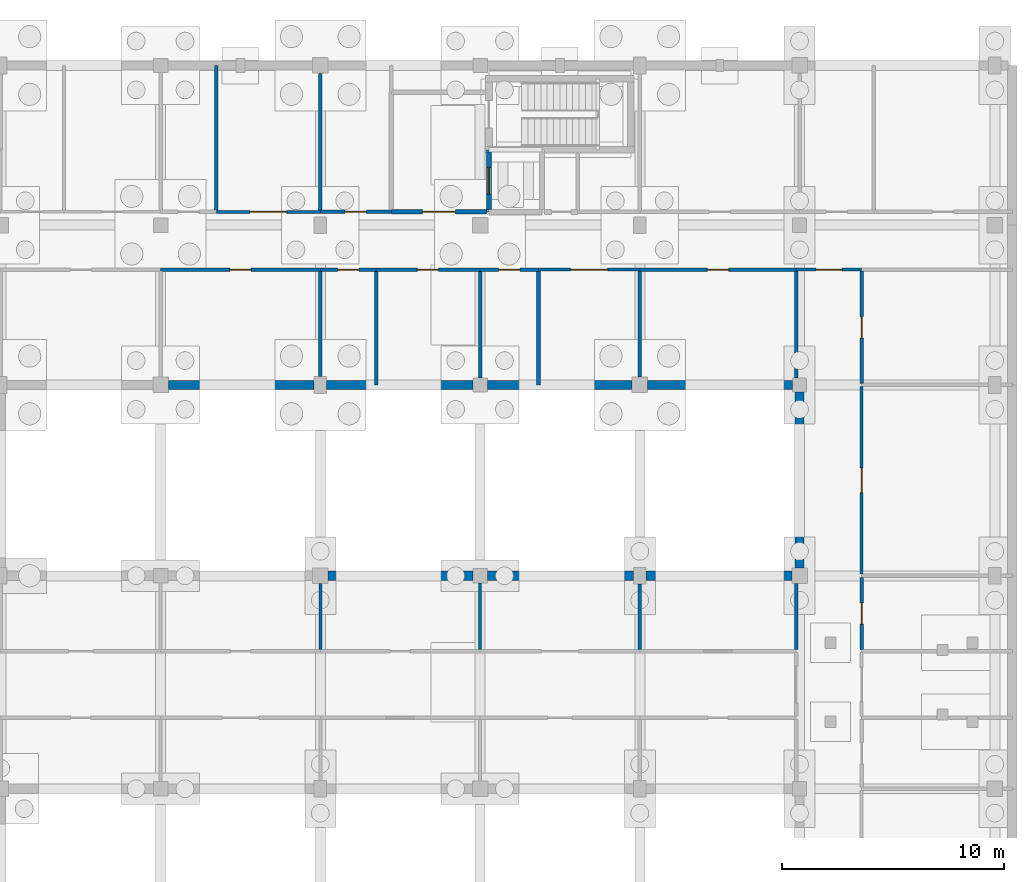
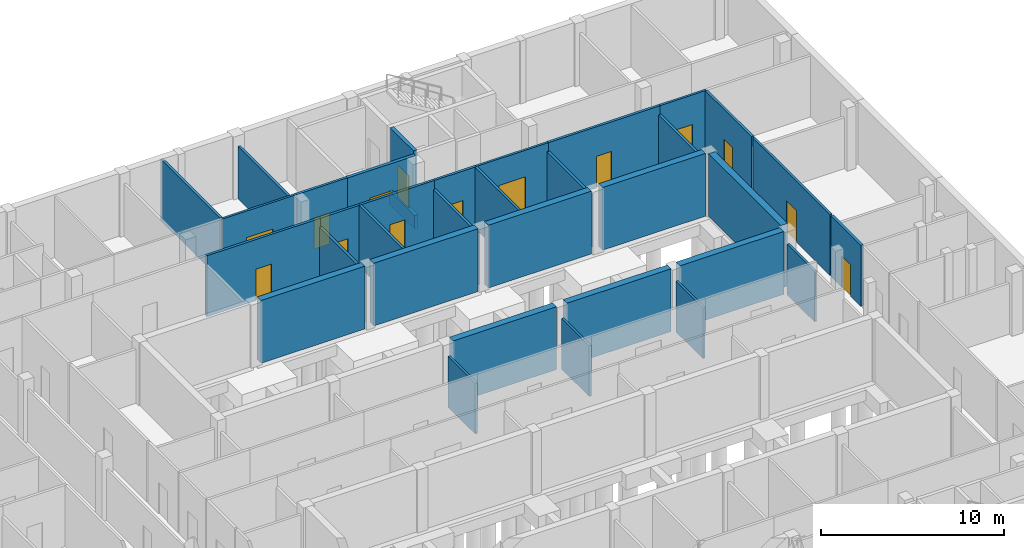
# One storey, part 13 of 17: 35 walls, 14 doors, 14 openings.
"""IFC4 building model written with IfcOpenShell, lengths in metres."""

from ifc_helpers import new_model, si_unit, direction, frame, frame_2d, origin, place, context, subcontext, project, spatial, rectangle, extrude, material, layer, layer_set, type_object, element, fill, save


model = new_model("IFC4")

# Units and contexts
model_context = context("Model", 3, precision=1e-05, world=origin(), true_north=direction((0.0, 1.0)))
body_context = subcontext(model_context, "Body", "Model", "MODEL_VIEW")
ifc_project = project(units=[si_unit("LENGTHUNIT", "METRE"), si_unit("AREAUNIT", "SQUARE_METRE"), si_unit("VOLUMEUNIT", "CUBIC_METRE"), si_unit("PLANEANGLEUNIT", "RADIAN"), si_unit("MASSUNIT", "GRAM", prefix="KILO")], contexts=[model_context])

# Site, building, storey
site_placement = place(None, origin())
site = spatial("IfcSite", under=ifc_project, at=site_placement, CompositionType="ELEMENT")
building_placement = place(site_placement, origin())
building = spatial("IfcBuilding", under=site, at=building_placement, Name="Hawrajan Terrace Health Centre", CompositionType="ELEMENT")
storey_placement = place(building_placement, frame((0.0, 0.0, -4.5)))
storey = spatial("IfcBuildingStorey", under=building, at=storey_placement, Name="B1", CompositionType="ELEMENT", Elevation=-4.5)

# Wall, opening, door
ifc_material_1 = material(Name="Gypsum board on acoustic stud framing")
ifc_layer_1 = layer(ifc_material_1, 0.139892578125)
ifc_layer_set_1 = layer_set([ifc_layer_1], Name="Gypsum board on acoustic stud framing")
wall_type_1 = type_object("IfcWallType", Name="ClinicalAcousticWall_140", PredefinedType="PARTITIONING", material=ifc_layer_set_1)
wall_1_placement = place(storey_placement, frame((35.9130859375, 53.199951171875, 0.0), z_axis=(0.0, 0.0, 1.0), x_axis=(1.0, 0.0, 0.0)))
wall_1 = element("IfcWall", 1, at=wall_1_placement, inside=storey, type_object=wall_type_1, Name="Interior wall IW-B1-0092", PredefinedType="PARTITIONING", context=body_context, shape_type="SweptSolid", body=[
    extrude(rectangle(XDim=4.68701171875, YDim=0.139892578125, at=frame_2d((2.343505859375, 0.0))), origin(), (0.0, 0.0, 1.0), 4.080078125),
])
opening_1_placement = place(wall_1_placement, frame((1.513427734375, 0.0, 0.0)))
opening_1 = element("IfcOpeningElement", 2, at=opening_1_placement, cuts=wall_1, Name="Opening D-B1-057", PredefinedType="OPENING", context=body_context, shape_type="SweptSolid", body=[
    extrude(rectangle(XDim=1.659912109375, YDim=2.300048828125, at=frame_2d((0.830078125, 1.14990234375))), frame((0.0, 0.079833984375, 0.0), z_axis=(0.0, -1.0, 0.0), x_axis=(1.0, 0.0, 0.0)), (0.0, 0.0, 1.0), 0.159912109375),
])
ifc_material_2 = material(Name="Hardwood acoustic clinical door leaf and frame", Category="wood")
door_type_1 = type_object("IfcDoorType", Name="RehabGymDoor_1660x2300", OperationType="DOUBLE_DOOR_SINGLE_SWING", PredefinedType="DOOR", material=ifc_material_2)
door_1_placement = place(opening_1_placement, origin())
door_1 = element("IfcDoor", 3, at=door_1_placement, inside=storey, type_object=door_type_1, Name="Interior door D-B1-057", OperationType="DOUBLE_DOOR_SINGLE_SWING", OverallHeight=2.300048828125, OverallWidth=1.659912109375, PredefinedType="DOOR", context=body_context, shape_type="SweptSolid", body=[
    extrude(rectangle(XDim=1.659912109375, YDim=2.300048828125, at=frame_2d((0.830078125, 1.14990234375))), frame((0.0, 0.02490234375, 0.0), z_axis=(0.0, -1.0, 0.0), x_axis=(1.0, 0.0, 0.0)), (0.0, 0.0, 1.0), 0.050048828125),
])
fill(opening_1, door_1)

# Walls
wall_2_placement = place(storey_placement, frame((40.60009765625, 33.469970703125, 0.0), z_axis=(0.0, 0.0, 1.0), x_axis=(0.0, 1.0, 0.0)))
element("IfcWall", 4, at=wall_2_placement, inside=storey, type_object=wall_type_1, Name="Interior wall IW-B1-0097", PredefinedType="PARTITIONING", context=body_context, shape_type="SweptSolid", body=[
    extrude(rectangle(XDim=2.97998046875, YDim=0.139892578125, at=frame_2d((1.489990234375, 0.0))), origin(), (0.0, 0.0, 1.0), 3.39990234375),
])
wall_3_placement = place(storey_placement, frame((47.800048828125, 33.469970703125, 0.0), z_axis=(0.0, 0.0, 1.0), x_axis=(0.0, 1.0, 0.0)))
element("IfcWall", 5, at=wall_3_placement, inside=storey, type_object=wall_type_1, Name="Interior wall IW-B1-0114", PredefinedType="PARTITIONING", context=body_context, shape_type="SweptSolid", body=[
    extrude(rectangle(XDim=3.005126953125, YDim=0.139892578125, at=frame_2d((1.50244140625, 0.0))), origin(), (0.0, 0.0, 1.0), 3.39990234375),
])

# Wall, opening, door
wall_4_placement = place(storey_placement, frame((50.43505859375, 50.60009765625, 0.0), z_axis=(0.0, 0.0, 1.0), x_axis=(1.0, 0.0, 0.0)))
wall_4 = element("IfcWall", 6, at=wall_4_placement, inside=storey, type_object=wall_type_1, Name="Interior wall IW-B1-0121", PredefinedType="PARTITIONING", context=body_context, shape_type="SweptSolid", body=[
    extrude(rectangle(XDim=4.56494140625, YDim=0.139892578125, at=frame_2d((2.282470703125, 0.0))), origin(), (0.0, 0.0, 1.0), 4.080078125),
])
opening_2_placement = place(wall_4_placement, frame((1.452392578125, 0.0, 0.0)))
opening_2 = element("IfcOpeningElement", 7, at=opening_2_placement, cuts=wall_4, Name="Opening D-B1-062", PredefinedType="OPENING", context=body_context, shape_type="SweptSolid", body=[
    extrude(rectangle(XDim=1.659912109375, YDim=2.300048828125, at=frame_2d((0.830078125, 1.14990234375))), frame((0.0, 0.079833984375, 0.0), z_axis=(0.0, -1.0, 0.0), x_axis=(1.0, 0.0, 0.0)), (0.0, 0.0, 1.0), 0.159912109375),
])
door_2_placement = place(opening_2_placement, origin())
door_2 = element("IfcDoor", 8, at=door_2_placement, inside=storey, type_object=door_type_1, Name="Interior door D-B1-062", OperationType="DOUBLE_DOOR_SINGLE_SWING", OverallHeight=2.300048828125, OverallWidth=1.659912109375, PredefinedType="DOOR", context=body_context, shape_type="SweptSolid", body=[
    extrude(rectangle(XDim=1.659912109375, YDim=2.300048828125, at=frame_2d((0.830078125, 1.14990234375))), frame((0.0, 0.02490234375, 0.0), z_axis=(0.0, -1.0, 0.0), x_axis=(1.0, 0.0, 0.0)), (0.0, 0.0, 1.0), 0.050048828125),
])
fill(opening_2, door_2)

# Walls
wall_5_placement = place(storey_placement, frame((55.0, 33.469970703125, 0.0), z_axis=(0.0, 0.0, 1.0), x_axis=(0.0, 1.0, 0.0)))
element("IfcWall", 9, at=wall_5_placement, inside=storey, type_object=wall_type_1, Name="Interior wall IW-B1-0129", PredefinedType="PARTITIONING", context=body_context, shape_type="SweptSolid", body=[
    extrude(rectangle(XDim=2.955078125, YDim=0.139892578125, at=frame_2d((1.4775390625, 0.0))), origin(), (0.0, 0.0, 1.0), 3.39990234375),
])
wall_6_placement = place(storey_placement, frame((62.050048828125, 33.469970703125, 0.0), z_axis=(0.0, 0.0, 1.0), x_axis=(0.0, 1.0, 0.0)))
element("IfcWall", 10, at=wall_6_placement, inside=storey, type_object=wall_type_1, Name="Interior wall IW-B1-0139", PredefinedType="PARTITIONING", context=body_context, shape_type="SweptSolid", body=[
    extrude(rectangle(XDim=2.97998046875, YDim=0.139892578125, at=frame_2d((1.489990234375, 0.0))), origin(), (0.0, 0.0, 1.0), 3.39990234375),
])

# Wall, opening, door
wall_7_placement = place(storey_placement, frame((62.050048828125, 50.60009765625, 0.0), z_axis=(0.0, 0.0, 1.0), x_axis=(1.0, 0.0, 0.0)))
wall_7 = element("IfcWall", 11, at=wall_7_placement, inside=storey, type_object=wall_type_1, Name="Interior wall IW-B1-0141", PredefinedType="PARTITIONING", context=body_context, shape_type="SweptSolid", body=[
    extrude(rectangle(XDim=2.949951171875, YDim=0.139892578125, at=frame_2d((1.47509765625, 0.0))), origin(), (0.0, 0.0, 1.0), 4.080078125),
])
opening_3_placement = place(wall_7_placement, frame((0.89501953125, 0.0, 0.0)))
opening_3 = element("IfcOpeningElement", 12, at=opening_3_placement, cuts=wall_7, Name="Opening D-B1-013", PredefinedType="OPENING", context=body_context, shape_type="SweptSolid", body=[
    extrude(rectangle(XDim=1.159912109375, YDim=2.10009765625, at=frame_2d((0.580078125, 1.050048828125))), frame((0.0, 0.079833984375, 0.0), z_axis=(0.0, -1.0, 0.0), x_axis=(1.0, 0.0, 0.0)), (0.0, 0.0, 1.0), 0.159912109375),
])
door_type_2 = type_object("IfcDoorType", Name="ConsultDoor_1160x2100", OperationType="NOTDEFINED", PredefinedType="DOOR", material=ifc_material_2)
door_3_placement = place(opening_3_placement, origin())
door_3 = element("IfcDoor", 13, at=door_3_placement, inside=storey, type_object=door_type_2, Name="Interior door D-B1-013", OperationType="SINGLE_SWING_LEFT", OverallHeight=2.10009765625, OverallWidth=1.159912109375, PredefinedType="DOOR", context=body_context, shape_type="SweptSolid", body=[
    extrude(rectangle(XDim=1.159912109375, YDim=2.10009765625, at=frame_2d((0.580078125, 1.050048828125))), frame((0.0, 0.02490234375, 0.0), z_axis=(0.0, -1.0, 0.0), x_axis=(1.0, 0.0, 0.0)), (0.0, 0.0, 1.0), 0.050048828125),
])
fill(opening_3, door_3)

wall_8_placement = place(storey_placement, frame((65.0, 36.8701171875, 0.0), z_axis=(0.0, 0.0, 1.0), x_axis=(0.0, 1.0, 0.0)))
wall_8 = element("IfcWall", 14, at=wall_8_placement, inside=storey, type_object=wall_type_1, Name="Interior wall IW-B1-0160", PredefinedType="PARTITIONING", context=body_context, shape_type="SweptSolid", body=[
    extrude(rectangle(XDim=8.4599609375, YDim=0.139892578125, at=frame_2d((4.22998046875, 0.0))), origin(), (0.0, 0.0, 1.0), 4.080078125),
])
opening_4_placement = place(wall_8_placement, frame((3.679931640625, 0.0, 0.0)))
opening_4 = element("IfcOpeningElement", 15, at=opening_4_placement, cuts=wall_8, Name="Opening D-B1-076", PredefinedType="OPENING", context=body_context, shape_type="SweptSolid", body=[
    extrude(rectangle(XDim=1.10009765625, YDim=2.10009765625, at=frame_2d((0.550048828125, 1.050048828125))), frame((0.0, 0.079833984375, 0.0), z_axis=(0.0, -1.0, 0.0), x_axis=(1.0, 0.0, 0.0)), (0.0, 0.0, 1.0), 0.159912109375),
])
door_type_3 = type_object("IfcDoorType", Name="ConsultDoor_1100x2100", OperationType="NOTDEFINED", PredefinedType="DOOR", material=ifc_material_2)
door_4_placement = place(opening_4_placement, origin())
door_4 = element("IfcDoor", 16, at=door_4_placement, inside=storey, type_object=door_type_3, Name="Interior door D-B1-076", OperationType="SINGLE_SWING_RIGHT", OverallHeight=2.10009765625, OverallWidth=1.10009765625, PredefinedType="DOOR", context=body_context, shape_type="SweptSolid", body=[
    extrude(rectangle(XDim=1.10009765625, YDim=2.10009765625, at=frame_2d((0.550048828125, 1.050048828125))), frame((0.0, 0.02490234375, 0.0), z_axis=(0.0, -1.0, 0.0), x_axis=(1.0, 0.0, 0.0)), (0.0, 0.0, 1.0), 0.050048828125),
])
fill(opening_4, door_4)

ifc_layer_2 = layer(ifc_material_1, 0.159912109375)
ifc_layer_set_2 = layer_set([ifc_layer_2], Name="Gypsum board on acoustic stud framing")
wall_type_2 = type_object("IfcWallType", Name="CorridorFireWall_160", PredefinedType="PARTITIONING", material=ifc_layer_set_2)
wall_9_placement = place(storey_placement, frame((33.39990234375, 50.60009765625, 0.0), z_axis=(0.0, 0.0, 1.0), x_axis=(1.0, 0.0, 0.0)))
wall_9 = element("IfcWall", 17, at=wall_9_placement, inside=storey, type_object=wall_type_2, Name="Interior wall IW-B1-0088", PredefinedType="PARTITIONING", context=body_context, shape_type="SweptSolid", body=[
    extrude(rectangle(XDim=7.2001953125, YDim=0.159912109375, at=frame_2d((3.60009765625, 0.0))), origin(), (0.0, 0.0, 1.0), 4.080078125),
])
opening_5_placement = place(wall_9_placement, frame((3.1201171875, 0.0, 0.0)))
opening_5 = element("IfcOpeningElement", 18, at=opening_5_placement, cuts=wall_9, Name="Opening D-B1-055", PredefinedType="OPENING", context=body_context, shape_type="SweptSolid", body=[
    extrude(rectangle(XDim=0.9599609375, YDim=2.10009765625, at=frame_2d((0.47998046875, 1.050048828125))), frame((0.0, 0.08984375, 0.0), z_axis=(0.0, -1.0, 0.0), x_axis=(1.0, 0.0, 0.0)), (0.0, 0.0, 1.0), 0.179931640625),
])
ifc_material_3 = material(Name="Timber-veneered acoustic fire-resisting door assembly", Category="wood")
door_type_4 = type_object("IfcDoorType", Name="ClinicalFireDoor_960x2100", OperationType="NOTDEFINED", PredefinedType="DOOR", material=ifc_material_3)
door_5_placement = place(opening_5_placement, origin())
door_5 = element("IfcDoor", 19, at=door_5_placement, inside=storey, type_object=door_type_4, Name="Interior door D-B1-055", OperationType="SINGLE_SWING_LEFT", OverallHeight=2.10009765625, OverallWidth=0.9599609375, PredefinedType="DOOR", context=body_context, shape_type="SweptSolid", body=[
    extrude(rectangle(XDim=0.9599609375, YDim=2.10009765625, at=frame_2d((0.47998046875, 1.050048828125))), frame((0.0, 0.02490234375, 0.0), z_axis=(0.0, -1.0, 0.0), x_axis=(1.0, 0.0, 0.0)), (0.0, 0.0, 1.0), 0.050048828125),
])
fill(opening_5, door_5)

# Walls
wall_10_placement = place(storey_placement, frame((35.9130859375, 53.27001953125, 0.0), z_axis=(0.0, 0.0, 1.0), x_axis=(0.0, 1.0, 0.0)))
element("IfcWall", 20, at=wall_10_placement, inside=storey, type_object=wall_type_2, Name="Interior wall IW-B1-0091", PredefinedType="PARTITIONING", context=body_context, shape_type="SweptSolid", body=[
    extrude(rectangle(XDim=6.530029296875, YDim=0.159912109375, at=frame_2d((3.26513671875, 0.0))), origin(), (0.0, 0.0, 1.0), 4.080078125),
])
wall_11_placement = place(storey_placement, frame((40.60009765625, 45.77490234375, 0.0), z_axis=(0.0, 0.0, 1.0), x_axis=(0.0, 1.0, 0.0)))
element("IfcWall", 21, at=wall_11_placement, inside=storey, type_object=wall_type_2, Name="Interior wall IW-B1-0099", PredefinedType="PARTITIONING", context=body_context, shape_type="SweptSolid", body=[
    extrude(rectangle(XDim=4.755126953125, YDim=0.159912109375, at=frame_2d((2.37744140625, 0.0))), origin(), (0.0, 0.0, 1.0), 3.5),
])

# Wall, opening, door
wall_12_placement = place(storey_placement, frame((40.60009765625, 50.60009765625, 0.0), z_axis=(0.0, 0.0, 1.0), x_axis=(1.0, 0.0, 0.0)))
wall_12 = element("IfcWall", 22, at=wall_12_placement, inside=storey, type_object=wall_type_2, Name="Interior wall IW-B1-0100", PredefinedType="PARTITIONING", context=body_context, shape_type="SweptSolid", body=[
    extrude(rectangle(XDim=2.512939453125, YDim=0.159912109375, at=frame_2d((1.25634765625, 0.0))), origin(), (0.0, 0.0, 1.0), 4.080078125),
])
opening_6_placement = place(wall_12_placement, frame((0.776611328125, 0.0, 0.0)))
opening_6 = element("IfcOpeningElement", 23, at=opening_6_placement, cuts=wall_12, Name="Opening D-B1-058", PredefinedType="OPENING", context=body_context, shape_type="SweptSolid", body=[
    extrude(rectangle(XDim=0.9599609375, YDim=2.10009765625, at=frame_2d((0.47998046875, 1.050048828125))), frame((0.0, 0.08984375, 0.0), z_axis=(0.0, -1.0, 0.0), x_axis=(1.0, 0.0, 0.0)), (0.0, 0.0, 1.0), 0.179931640625),
])
door_6_placement = place(opening_6_placement, origin())
door_6 = element("IfcDoor", 24, at=door_6_placement, inside=storey, type_object=door_type_4, Name="Interior door D-B1-058", OperationType="SINGLE_SWING_RIGHT", OverallHeight=2.10009765625, OverallWidth=0.9599609375, PredefinedType="DOOR", context=body_context, shape_type="SweptSolid", body=[
    extrude(rectangle(XDim=0.9599609375, YDim=2.10009765625, at=frame_2d((0.47998046875, 1.050048828125))), frame((0.0, 0.02490234375, 0.0), z_axis=(0.0, -1.0, 0.0), x_axis=(1.0, 0.0, 0.0)), (0.0, 0.0, 1.0), 0.050048828125),
])
fill(opening_6, door_6)

# Wall
wall_13_placement = place(storey_placement, frame((40.60009765625, 53.27001953125, 0.0), z_axis=(0.0, 0.0, 1.0), x_axis=(0.0, 1.0, 0.0)))
element("IfcWall", 25, at=wall_13_placement, inside=storey, type_object=wall_type_2, Name="Interior wall IW-B1-0101", PredefinedType="PARTITIONING", context=body_context, shape_type="SweptSolid", body=[
    extrude(rectangle(XDim=6.179931640625, YDim=0.159912109375, at=frame_2d((3.08984375, 0.0))), origin(), (0.0, 0.0, 1.0), 3.5),
])

# Wall, opening, door
wall_14_placement = place(storey_placement, frame((40.60009765625, 53.199951171875, 0.0), z_axis=(0.0, 0.0, 1.0), x_axis=(1.0, 0.0, 0.0)))
wall_14 = element("IfcWall", 26, at=wall_14_placement, inside=storey, type_object=wall_type_2, Name="Interior wall IW-B1-0102", PredefinedType="PARTITIONING", context=body_context, shape_type="SweptSolid", body=[
    extrude(rectangle(XDim=3.199951171875, YDim=0.159912109375, at=frame_2d((1.60009765625, 0.0))), origin(), (0.0, 0.0, 1.0), 4.080078125),
])
opening_7_placement = place(wall_14_placement, frame((1.1201171875, 0.0, 0.0)))
opening_7 = element("IfcOpeningElement", 27, at=opening_7_placement, cuts=wall_14, Name="Opening D-B1-060", PredefinedType="OPENING", context=body_context, shape_type="SweptSolid", body=[
    extrude(rectangle(XDim=0.9599609375, YDim=2.10009765625, at=frame_2d((0.47998046875, 1.050048828125))), frame((0.0, 0.08984375, 0.0), z_axis=(0.0, -1.0, 0.0), x_axis=(1.0, 0.0, 0.0)), (0.0, 0.0, 1.0), 0.179931640625),
])
door_7_placement = place(opening_7_placement, origin())
door_7 = element("IfcDoor", 28, at=door_7_placement, inside=storey, type_object=door_type_4, Name="Interior door D-B1-060", OperationType="SINGLE_SWING_RIGHT", OverallHeight=2.10009765625, OverallWidth=0.9599609375, PredefinedType="DOOR", context=body_context, shape_type="SweptSolid", body=[
    extrude(rectangle(XDim=0.9599609375, YDim=2.10009765625, at=frame_2d((0.47998046875, 1.050048828125))), frame((0.0, 0.02490234375, 0.0), z_axis=(0.0, -1.0, 0.0), x_axis=(1.0, 0.0, 0.0)), (0.0, 0.0, 1.0), 0.050048828125),
])
fill(opening_7, door_7)

# Wall
wall_15_placement = place(storey_placement, frame((43.113037109375, 45.39990234375, 0.0), z_axis=(0.0, 0.0, 1.0), x_axis=(0.0, 1.0, 0.0)))
element("IfcWall", 29, at=wall_15_placement, inside=storey, type_object=wall_type_2, Name="Interior wall IW-B1-0105", PredefinedType="PARTITIONING", context=body_context, shape_type="SweptSolid", body=[
    extrude(rectangle(XDim=5.130126953125, YDim=0.159912109375, at=frame_2d((2.56494140625, 0.0))), origin(), (0.0, 0.0, 1.0), 4.080078125),
])

# Wall, opening, door
wall_16_placement = place(storey_placement, frame((43.113037109375, 50.60009765625, 0.0), z_axis=(0.0, 0.0, 1.0), x_axis=(1.0, 0.0, 0.0)))
wall_16 = element("IfcWall", 30, at=wall_16_placement, inside=storey, type_object=wall_type_2, Name="Interior wall IW-B1-0106", PredefinedType="PARTITIONING", context=body_context, shape_type="SweptSolid", body=[
    extrude(rectangle(XDim=4.68701171875, YDim=0.159912109375, at=frame_2d((2.343505859375, 0.0))), origin(), (0.0, 0.0, 1.0), 4.080078125),
])
opening_8_placement = place(wall_16_placement, frame((1.863525390625, 0.0, 0.0)))
opening_8 = element("IfcOpeningElement", 31, at=opening_8_placement, cuts=wall_16, Name="Opening D-B1-059", PredefinedType="OPENING", context=body_context, shape_type="SweptSolid", body=[
    extrude(rectangle(XDim=0.9599609375, YDim=2.10009765625, at=frame_2d((0.47998046875, 1.050048828125))), frame((0.0, 0.08984375, 0.0), z_axis=(0.0, -1.0, 0.0), x_axis=(1.0, 0.0, 0.0)), (0.0, 0.0, 1.0), 0.179931640625),
])
door_8_placement = place(opening_8_placement, origin())
door_8 = element("IfcDoor", 32, at=door_8_placement, inside=storey, type_object=door_type_4, Name="Interior door D-B1-059", OperationType="SINGLE_SWING_LEFT", OverallHeight=2.10009765625, OverallWidth=0.9599609375, PredefinedType="DOOR", context=body_context, shape_type="SweptSolid", body=[
    extrude(rectangle(XDim=0.9599609375, YDim=2.10009765625, at=frame_2d((0.47998046875, 1.050048828125))), frame((0.0, 0.02490234375, 0.0), z_axis=(0.0, -1.0, 0.0), x_axis=(1.0, 0.0, 0.0)), (0.0, 0.0, 1.0), 0.050048828125),
])
fill(opening_8, door_8)

# Wall
wall_17_placement = place(storey_placement, frame((47.800048828125, 45.72509765625, 0.0), z_axis=(0.0, 0.0, 1.0), x_axis=(0.0, 1.0, 0.0)))
element("IfcWall", 33, at=wall_17_placement, inside=storey, type_object=wall_type_2, Name="Interior wall IW-B1-0116", PredefinedType="PARTITIONING", context=body_context, shape_type="SweptSolid", body=[
    extrude(rectangle(XDim=4.804931640625, YDim=0.159912109375, at=frame_2d((2.40234375, 0.0))), origin(), (0.0, 0.0, 1.0), 3.5),
])

# Wall, opening, door
wall_18_placement = place(storey_placement, frame((47.800048828125, 50.60009765625, 0.0), z_axis=(0.0, 0.0, 1.0), x_axis=(1.0, 0.0, 0.0)))
wall_18 = element("IfcWall", 34, at=wall_18_placement, inside=storey, type_object=wall_type_2, Name="Interior wall IW-B1-0117", PredefinedType="PARTITIONING", context=body_context, shape_type="SweptSolid", body=[
    extrude(rectangle(XDim=2.635009765625, YDim=0.159912109375, at=frame_2d((1.3173828125, 0.0))), origin(), (0.0, 0.0, 1.0), 4.080078125),
])
opening_9_placement = place(wall_18_placement, frame((0.83740234375, 0.0, 0.0)))
opening_9 = element("IfcOpeningElement", 35, at=opening_9_placement, cuts=wall_18, Name="Opening D-B1-061", PredefinedType="OPENING", context=body_context, shape_type="SweptSolid", body=[
    extrude(rectangle(XDim=0.9599609375, YDim=2.10009765625, at=frame_2d((0.47998046875, 1.050048828125))), frame((0.0, 0.08984375, 0.0), z_axis=(0.0, -1.0, 0.0), x_axis=(1.0, 0.0, 0.0)), (0.0, 0.0, 1.0), 0.179931640625),
])
door_9_placement = place(opening_9_placement, origin())
door_9 = element("IfcDoor", 36, at=door_9_placement, inside=storey, type_object=door_type_4, Name="Interior door D-B1-061", OperationType="SINGLE_SWING_LEFT", OverallHeight=2.10009765625, OverallWidth=0.9599609375, PredefinedType="DOOR", context=body_context, shape_type="SweptSolid", body=[
    extrude(rectangle(XDim=0.9599609375, YDim=2.10009765625, at=frame_2d((0.47998046875, 1.050048828125))), frame((0.0, 0.02490234375, 0.0), z_axis=(0.0, -1.0, 0.0), x_axis=(1.0, 0.0, 0.0)), (0.0, 0.0, 1.0), 0.050048828125),
])
fill(opening_9, door_9)

# Walls
wall_19_placement = place(storey_placement, frame((50.43505859375, 45.39990234375, 0.0), z_axis=(0.0, 0.0, 1.0), x_axis=(0.0, 1.0, 0.0)))
element("IfcWall", 37, at=wall_19_placement, inside=storey, type_object=wall_type_2, Name="Interior wall IW-B1-0120", PredefinedType="PARTITIONING", context=body_context, shape_type="SweptSolid", body=[
    extrude(rectangle(XDim=5.130126953125, YDim=0.159912109375, at=frame_2d((2.56494140625, 0.0))), origin(), (0.0, 0.0, 1.0), 4.080078125),
])
wall_20_placement = place(storey_placement, frame((55.0, 45.75, 0.0), z_axis=(0.0, 0.0, 1.0), x_axis=(0.0, 1.0, 0.0)))
element("IfcWall", 38, at=wall_20_placement, inside=storey, type_object=wall_type_2, Name="Interior wall IW-B1-0131", PredefinedType="PARTITIONING", context=body_context, shape_type="SweptSolid", body=[
    extrude(rectangle(XDim=4.780029296875, YDim=0.159912109375, at=frame_2d((2.39013671875, 0.0))), origin(), (0.0, 0.0, 1.0), 3.5),
])

# Wall, opening, door
wall_21_placement = place(storey_placement, frame((55.0, 50.60009765625, 0.0), z_axis=(0.0, 0.0, 1.0), x_axis=(1.0, 0.0, 0.0)))
wall_21 = element("IfcWall", 39, at=wall_21_placement, inside=storey, type_object=wall_type_2, Name="Interior wall IW-B1-0132", PredefinedType="PARTITIONING", context=body_context, shape_type="SweptSolid", body=[
    extrude(rectangle(XDim=7.050048828125, YDim=0.159912109375, at=frame_2d((3.52490234375, 0.0))), origin(), (0.0, 0.0, 1.0), 4.080078125),
])
opening_10_placement = place(wall_21_placement, frame((3.044921875, 0.0, 0.0)))
opening_10 = element("IfcOpeningElement", 40, at=opening_10_placement, cuts=wall_21, Name="Opening D-B1-063", PredefinedType="OPENING", context=body_context, shape_type="SweptSolid", body=[
    extrude(rectangle(XDim=0.9599609375, YDim=2.10009765625, at=frame_2d((0.47998046875, 1.050048828125))), frame((0.0, 0.08984375, 0.0), z_axis=(0.0, -1.0, 0.0), x_axis=(1.0, 0.0, 0.0)), (0.0, 0.0, 1.0), 0.179931640625),
])
door_10_placement = place(opening_10_placement, origin())
door_10 = element("IfcDoor", 41, at=door_10_placement, inside=storey, type_object=door_type_4, Name="Interior door D-B1-063", OperationType="SINGLE_SWING_LEFT", OverallHeight=2.10009765625, OverallWidth=0.9599609375, PredefinedType="DOOR", context=body_context, shape_type="SweptSolid", body=[
    extrude(rectangle(XDim=0.9599609375, YDim=2.10009765625, at=frame_2d((0.47998046875, 1.050048828125))), frame((0.0, 0.02490234375, 0.0), z_axis=(0.0, -1.0, 0.0), x_axis=(1.0, 0.0, 0.0)), (0.0, 0.0, 1.0), 0.050048828125),
])
fill(opening_10, door_10)

# Wall
wall_22_placement = place(storey_placement, frame((62.050048828125, 45.72509765625, 0.0), z_axis=(0.0, 0.0, 1.0), x_axis=(0.0, 1.0, 0.0)))
element("IfcWall", 42, at=wall_22_placement, inside=storey, type_object=wall_type_2, Name="Interior wall IW-B1-0140", PredefinedType="PARTITIONING", context=body_context, shape_type="SweptSolid", body=[
    extrude(rectangle(XDim=4.804931640625, YDim=0.159912109375, at=frame_2d((2.40234375, 0.0))), origin(), (0.0, 0.0, 1.0), 3.5),
])

# Wall, opening, door
wall_23_placement = place(storey_placement, frame((65.0, 33.469970703125, 0.0), z_axis=(0.0, 0.0, 1.0), x_axis=(0.0, 1.0, 0.0)))
wall_23 = element("IfcWall", 43, at=wall_23_placement, inside=storey, type_object=wall_type_2, Name="Interior wall IW-B1-0157", PredefinedType="PARTITIONING", context=body_context, shape_type="SweptSolid", body=[
    extrude(rectangle(XDim=3.260009765625, YDim=0.159912109375, at=frame_2d((1.6298828125, 0.0))), origin(), (0.0, 0.0, 1.0), 4.080078125),
])
opening_11_placement = place(wall_23_placement, frame((1.14990234375, 0.0, 0.0)))
opening_11 = element("IfcOpeningElement", 44, at=opening_11_placement, cuts=wall_23, Name="Opening D-B1-075", PredefinedType="OPENING", context=body_context, shape_type="SweptSolid", body=[
    extrude(rectangle(XDim=0.9599609375, YDim=2.10009765625, at=frame_2d((0.47998046875, 1.050048828125))), frame((0.0, 0.08984375, 0.0), z_axis=(0.0, -1.0, 0.0), x_axis=(1.0, 0.0, 0.0)), (0.0, 0.0, 1.0), 0.179931640625),
])
door_11_placement = place(opening_11_placement, origin())
door_11 = element("IfcDoor", 45, at=door_11_placement, inside=storey, type_object=door_type_4, Name="Interior door D-B1-075", OperationType="SINGLE_SWING_LEFT", OverallHeight=2.10009765625, OverallWidth=0.9599609375, PredefinedType="DOOR", context=body_context, shape_type="SweptSolid", body=[
    extrude(rectangle(XDim=0.9599609375, YDim=2.10009765625, at=frame_2d((0.47998046875, 1.050048828125))), frame((0.0, 0.02490234375, 0.0), z_axis=(0.0, -1.0, 0.0), x_axis=(1.0, 0.0, 0.0)), (0.0, 0.0, 1.0), 0.050048828125),
])
fill(opening_11, door_11)

wall_24_placement = place(storey_placement, frame((65.0, 45.469970703125, 0.0), z_axis=(0.0, 0.0, 1.0), x_axis=(0.0, 1.0, 0.0)))
wall_24 = element("IfcWall", 46, at=wall_24_placement, inside=storey, type_object=wall_type_2, Name="Interior wall IW-B1-0163", PredefinedType="PARTITIONING", context=body_context, shape_type="SweptSolid", body=[
    extrude(rectangle(XDim=5.06005859375, YDim=0.159912109375, at=frame_2d((2.530029296875, 0.0))), origin(), (0.0, 0.0, 1.0), 4.080078125),
])
opening_12_placement = place(wall_24_placement, frame((2.050048828125, 0.0, 0.0)))
opening_12 = element("IfcOpeningElement", 47, at=opening_12_placement, cuts=wall_24, Name="Opening D-B1-065", PredefinedType="OPENING", context=body_context, shape_type="SweptSolid", body=[
    extrude(rectangle(XDim=0.9599609375, YDim=2.10009765625, at=frame_2d((0.47998046875, 1.050048828125))), frame((0.0, 0.08984375, 0.0), z_axis=(0.0, -1.0, 0.0), x_axis=(1.0, 0.0, 0.0)), (0.0, 0.0, 1.0), 0.179931640625),
])
door_12_placement = place(opening_12_placement, origin())
door_12 = element("IfcDoor", 48, at=door_12_placement, inside=storey, type_object=door_type_4, Name="Interior door D-B1-065", OperationType="SINGLE_SWING_LEFT", OverallHeight=2.10009765625, OverallWidth=0.9599609375, PredefinedType="DOOR", context=body_context, shape_type="SweptSolid", body=[
    extrude(rectangle(XDim=0.9599609375, YDim=2.10009765625, at=frame_2d((0.47998046875, 1.050048828125))), frame((0.0, 0.02490234375, 0.0), z_axis=(0.0, -1.0, 0.0), x_axis=(1.0, 0.0, 0.0)), (0.0, 0.0, 1.0), 0.050048828125),
])
fill(opening_12, door_12)

ifc_material_4 = material(Name="Cross-laminated timber CLT C24", Category="wood")
ifc_layer_3 = layer(ifc_material_4, 0.199951171875)
ifc_layer_set_3 = layer_set([ifc_layer_3], Name="Cross-laminated timber CLT C24")
wall_type_3 = type_object("IfcWallType", Name="FireCompartmentWall_200", PredefinedType="PARTITIONING", material=ifc_layer_set_3)
wall_25_placement = place(storey_placement, frame((43.800048828125, 53.199951171875, 0.0), z_axis=(0.0, 0.0, 1.0), x_axis=(1.0, 0.0, 0.0)))
wall_25 = element("IfcWall", 49, at=wall_25_placement, inside=storey, type_object=wall_type_3, Name="Interior wall IW-B1-0108", PredefinedType="PARTITIONING", context=body_context, shape_type="SweptSolid", body=[
    extrude(rectangle(XDim=4.2900390625, YDim=0.199951171875, at=frame_2d((2.14501953125, 0.0))), origin(), (0.0, 0.0, 1.0), 4.080078125),
])
opening_13_placement = place(wall_25_placement, frame((1.405029296875, 0.0, 0.0)))
opening_13 = element("IfcOpeningElement", 50, at=opening_13_placement, cuts=wall_25, Name="Opening D-B1-006", PredefinedType="OPENING", context=body_context, shape_type="SweptSolid", body=[
    extrude(rectangle(XDim=1.47998046875, YDim=2.25, at=frame_2d((0.739990234375, 1.125))), frame((0.0, 0.10986328125, 0.0), z_axis=(0.0, -1.0, 0.0), x_axis=(1.0, 0.0, 0.0)), (0.0, 0.0, 1.0), 0.219970703125),
])
door_type_5 = type_object("IfcDoorType", Name="FFLobbyDoor_1480x2250", OperationType="DOUBLE_DOOR_SINGLE_SWING", PredefinedType="DOOR", material=ifc_material_3)
door_13_placement = place(opening_13_placement, origin())
door_13 = element("IfcDoor", 51, at=door_13_placement, inside=storey, type_object=door_type_5, Name="Interior door D-B1-006", OperationType="DOUBLE_DOOR_SINGLE_SWING", OverallHeight=2.25, OverallWidth=1.47998046875, PredefinedType="DOOR", context=body_context, shape_type="SweptSolid", body=[
    extrude(rectangle(XDim=1.47998046875, YDim=2.25, at=frame_2d((0.739990234375, 1.125))), frame((0.0, 0.02490234375, 0.0), z_axis=(0.0, -1.0, 0.0), x_axis=(1.0, 0.0, 0.0)), (0.0, 0.0, 1.0), 0.050048828125),
])
fill(opening_13, door_13)

# Walls
ifc_material_5 = material(Name="Concrete C40/50", Category="concrete")
ifc_layer_4 = layer(ifc_material_5, 0.419921875)
ifc_layer_set_4 = layer_set([ifc_layer_4], Name="Concrete C40/50")
wall_type_4 = type_object("IfcWallType", Name="RetainingWall_RC420", PredefinedType="USERDEFINED", material=ifc_layer_set_4)
wall_26_placement = place(storey_placement, frame((33.75, 45.39990234375, 0.0), z_axis=(0.0, 0.0, 1.0), x_axis=(1.0, 0.0, 0.0)))
element("IfcWall", 52, at=wall_26_placement, inside=storey, type_object=wall_type_4, Name="Exterior wall EW-B1-H04-05-1", ObjectType="RETAINING WALL", PredefinedType="USERDEFINED", context=body_context, shape_type="SweptSolid", body=[
    extrude(rectangle(XDim=6.574951171875, YDim=0.419921875, at=frame_2d((3.28759765625, 0.0))), origin(), (0.0, 0.0, 1.0), 4.199951171875),
])
wall_27_placement = place(storey_placement, frame((40.949951171875, 36.800048828125, 0.0), z_axis=(0.0, 0.0, 1.0), x_axis=(1.0, 0.0, 0.0)))
element("IfcWall", 53, at=wall_27_placement, inside=storey, type_object=wall_type_4, Name="Exterior wall EW-B1-H05-04-1", ObjectType="RETAINING WALL", PredefinedType="USERDEFINED", context=body_context, shape_type="SweptSolid", body=[
    extrude(rectangle(XDim=6.525146484375, YDim=0.419921875, at=frame_2d((3.2626953125, 0.0))), origin(), (0.0, 0.0, 1.0), 4.199951171875),
])
for number, where, z_axis, x_axis, name in (
    (54, (40.875, 45.39990234375, 0.0), (0.0, 0.0, 1.0), (1.0, 0.0, 0.0), "Exterior wall EW-B1-H05-05-1"),
    (55, (48.125, 36.800048828125, 0.0), (0.0, 0.0, 1.0), (1.0, 0.0, 0.0), "Exterior wall EW-B1-H06-04-1"),
):
    element("IfcWall", number, at=place(storey_placement, frame(where, z_axis=z_axis, x_axis=x_axis)), inside=storey, type_object=wall_type_4, Name=name, ObjectType="RETAINING WALL", PredefinedType="USERDEFINED", context=body_context, shape_type="SweptSolid", body=[
        extrude(rectangle(XDim=6.60009765625, YDim=0.419921875, at=frame_2d((3.300048828125, 0.0))), origin(), (0.0, 0.0, 1.0), 4.199951171875),
    ])
wall_28_placement = place(storey_placement, frame((48.125, 45.39990234375, 0.0), z_axis=(0.0, 0.0, 1.0), x_axis=(1.0, 0.0, 0.0)))
element("IfcWall", 56, at=wall_28_placement, inside=storey, type_object=wall_type_4, Name="Exterior wall EW-B1-H06-05-1", ObjectType="RETAINING WALL", PredefinedType="USERDEFINED", context=body_context, shape_type="SweptSolid", body=[
    extrude(rectangle(XDim=6.52490234375, YDim=0.419921875, at=frame_2d((3.262451171875, 0.0))), origin(), (0.0, 0.0, 1.0), 4.199951171875),
])
wall_29_placement = place(storey_placement, frame((55.27490234375, 36.800048828125, 0.0), z_axis=(0.0, 0.0, 1.0), x_axis=(1.0, 0.0, 0.0)))
element("IfcWall", 57, at=wall_29_placement, inside=storey, type_object=wall_type_4, Name="Exterior wall EW-B1-H07-04-1", ObjectType="RETAINING WALL", PredefinedType="USERDEFINED", context=body_context, shape_type="SweptSolid", body=[
    extrude(rectangle(XDim=6.5751953125, YDim=0.419921875, at=frame_2d((3.28759765625, 0.0))), origin(), (0.0, 0.0, 1.0), 4.199951171875),
])
wall_30_placement = place(storey_placement, frame((55.35009765625, 45.39990234375, 0.0), z_axis=(0.0, 0.0, 1.0), x_axis=(1.0, 0.0, 0.0)))
element("IfcWall", 58, at=wall_30_placement, inside=storey, type_object=wall_type_4, Name="Exterior wall EW-B1-H07-05-1", ObjectType="RETAINING WALL", PredefinedType="USERDEFINED", context=body_context, shape_type="SweptSolid", body=[
    extrude(rectangle(XDim=6.52490234375, YDim=0.419921875, at=frame_2d((3.262451171875, 0.0))), origin(), (0.0, 0.0, 1.0), 4.199951171875),
])
wall_31_placement = place(storey_placement, frame((62.199951171875, 37.14990234375, 0.0), z_axis=(0.0, 0.0, 1.0), x_axis=(0.0, 1.0, 0.0)))
element("IfcWall", 59, at=wall_31_placement, inside=storey, type_object=wall_type_4, Name="Exterior wall EW-B1-V08-04-1", ObjectType="RETAINING WALL", PredefinedType="USERDEFINED", context=body_context, shape_type="SweptSolid", body=[
    extrude(rectangle(XDim=7.925048828125, YDim=0.419921875, at=frame_2d((3.96240234375, 0.0))), origin(), (0.0, 0.0, 1.0), 4.199951171875),
])

# Wall, opening, door
ifc_layer_5 = layer(ifc_material_5, 0.219970703125)
ifc_layer_set_5 = layer_set([ifc_layer_5], Name="Concrete C40/50")
wall_type_5 = type_object("IfcWallType", Name="ShaftWall_RC220", PredefinedType="SOLIDWALL", material=ifc_layer_set_5)
wall_32_placement = place(storey_placement, frame((48.199951171875, 53.31005859375, 0.0), z_axis=(0.0, 0.0, 1.0), x_axis=(0.0, 1.0, 0.0)))
wall_32 = element("IfcWall", 60, at=wall_32_placement, inside=storey, type_object=wall_type_5, Name="Lift shaft wall LW-LC-03-B1-W", PredefinedType="SOLIDWALL", context=body_context, shape_type="SweptSolid", body=[
    extrude(rectangle(XDim=2.579833984375, YDim=0.219970703125, at=frame_2d((1.2900390625, 0.0))), origin(), (0.0, 0.0, 1.0), 4.25),
])
opening_14_placement = place(wall_32_placement, frame((0.68994140625, 0.0, 0.0)))
opening_14 = element("IfcOpeningElement", 61, at=opening_14_placement, cuts=wall_32, Name="Opening LD-B1-LC-03", PredefinedType="OPENING", context=body_context, shape_type="SweptSolid", body=[
    extrude(rectangle(XDim=1.199951171875, YDim=2.14990234375, at=frame_2d((0.60009765625, 1.074951171875))), frame((0.0, 0.119873046875, 0.0), z_axis=(0.0, -1.0, 0.0), x_axis=(1.0, 0.0, 0.0)), (0.0, 0.0, 1.0), 0.239990234375),
])
ifc_material_6 = material(Name="Brushed bronze stainless-steel sliding lift landing door", Category="steel")
door_type_6 = type_object("IfcDoorType", Name="LiftLandingDoor_1200x2150", OperationType="SLIDING_TO_LEFT", PredefinedType="DOOR", material=ifc_material_6)
door_14_placement = place(opening_14_placement, origin())
door_14 = element("IfcDoor", 62, at=door_14_placement, inside=storey, type_object=door_type_6, Name="Lift landing door LD-B1-LC-03", OperationType="SLIDING_TO_LEFT", OverallHeight=2.14990234375, OverallWidth=1.199951171875, PredefinedType="DOOR", context=body_context, shape_type="SweptSolid", body=[
    extrude(rectangle(XDim=1.199951171875, YDim=2.14990234375, at=frame_2d((0.60009765625, 1.074951171875))), frame((0.0, 0.02490234375, 0.0), z_axis=(0.0, -1.0, 0.0), x_axis=(1.0, 0.0, 0.0)), (0.0, 0.0, 1.0), 0.050048828125),
])
fill(opening_14, door_14)

# Wall
wall_33_placement = place(storey_placement, frame((48.199951171875, 53.199951171875, -0.89990234375), z_axis=(0.0, 0.0, 1.0), x_axis=(0.0, 1.0, 0.0)))
element("IfcWall", 63, at=wall_33_placement, inside=storey, type_object=wall_type_5, Name="Lift pit wall LC-03-W", PredefinedType="SOLIDWALL", context=body_context, shape_type="SweptSolid", body=[
    extrude(rectangle(XDim=2.800048828125, YDim=0.219970703125, at=frame_2d((1.39990234375, 0.0))), origin(), (0.0, 0.0, 1.0), 0.89990234375),
])

save(model, "model.ifc")
